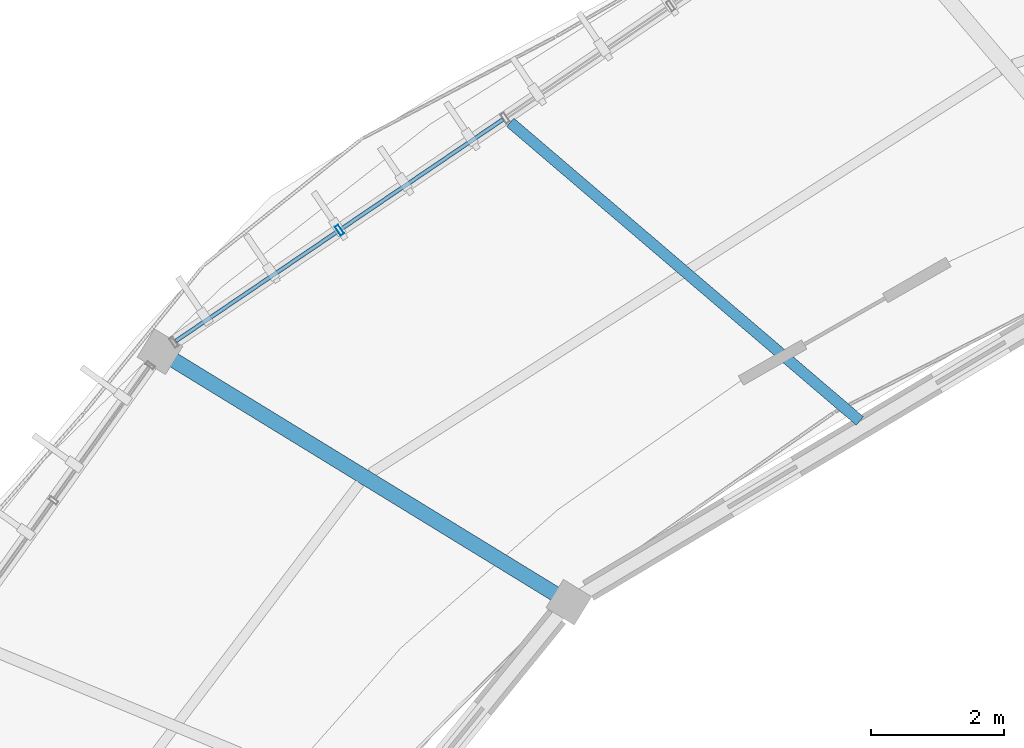
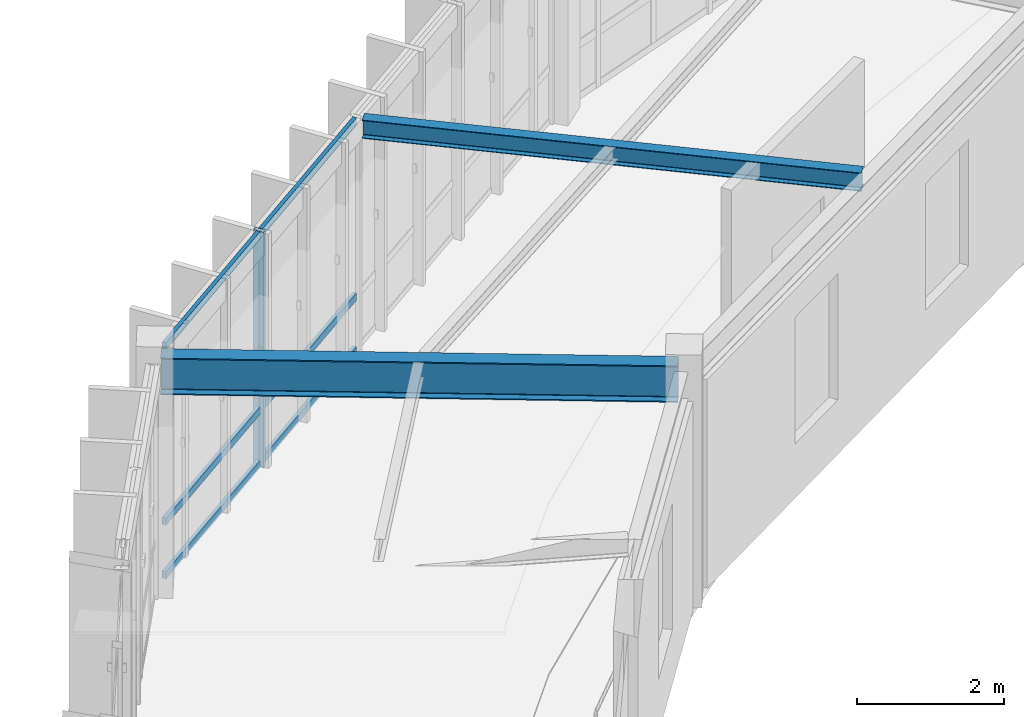
# One storey, part 26 of 78: 7 members, 2 beams, 1 element without a shape of its own.
"""IFC4 building model written with IfcOpenShell, lengths in metres."""

from ifc_helpers import new_model, si_unit, direction, frame, origin, origin_2d, place, context, subcontext, project, spatial, hollow_rectangle, i_section, extrude, material, material_profile, profile_set, type_object, element, aggregate, save


model = new_model("IFC4")

# Units and contexts
model_context = context("Model", 3, precision=1e-05, world=origin(), true_north=direction((0.0, 1.0)))
body_context = subcontext(model_context, "Body", "Model", "MODEL_VIEW")
ifc_project = project(units=[si_unit("LENGTHUNIT", "METRE"), si_unit("AREAUNIT", "SQUARE_METRE"), si_unit("VOLUMEUNIT", "CUBIC_METRE"), si_unit("PLANEANGLEUNIT", "RADIAN"), si_unit("MASSUNIT", "GRAM", prefix="KILO"), si_unit("THERMODYNAMICTEMPERATUREUNIT", "KELVIN"), si_unit("POWERUNIT", "WATT")], contexts=[model_context])

# Site, building, storey
site_placement = place(None, origin())
site = spatial("IfcSite", under=ifc_project, at=site_placement, CompositionType="ELEMENT")
building_placement = place(site_placement, origin())
building = spatial("IfcBuilding", under=site, at=building_placement, Name="Darbajah Civic Hall", CompositionType="ELEMENT")
storey_placement = place(building_placement, frame((0.0, 0.0, 26.39990234375)))
storey = spatial("IfcBuildingStorey", under=building, at=storey_placement, Name="L06", CompositionType="ELEMENT", Elevation=26.39990234375)

# Curtain wall, members
ifc_material_1 = material(Name="Anodised Bronze Aluminium and Low-E Glazing", Category="aluminium")
curtain_wall_type = type_object("IfcCurtainWallType", Name="Unitised Curtain Wall CW-81 12000x3900", PredefinedType="USERDEFINED", material=ifc_material_1)
curtain_wall_placement = place(storey_placement, origin())
curtain_wall = element("IfcCurtainWall", 1, at=curtain_wall_placement, inside=storey, type_object=curtain_wall_type, Name="L06 unitised curtain wall CW-V1O-L06-07", ObjectType="UNITISED CURTAIN WALL", PredefinedType="USERDEFINED")
ifc_material_2 = material(Name="Anodised Bronze Aluminium", Category="aluminium")
ifc_material_profile_1 = material_profile(ifc_material_2, hollow_rectangle(XDim=0.06005859375, YDim=0.159912109375, WallThickness=0.00341796875, at=origin_2d()), Name="ALU MULLION 60x160")
ifc_profile_set_1 = profile_set([ifc_material_profile_1], Name="Anodised Bronze Aluminium")
member_type_1 = type_object("IfcMemberType", Name="ALU MULLION 60x160", PredefinedType="MULLION", material=ifc_profile_set_1)
member_1_placement = place(storey_placement, frame((48.310302734375, 107.038818359375, 0.0), z_axis=(0.0, 0.0, 1.0), x_axis=(-0.827962472047, -0.560783509816, 0.0)))
member_1 = element("IfcMember", 2, at=member_1_placement, type_object=member_type_1, Name="CW-V1O-L06-07 mullion 4", PredefinedType="MULLION", context=body_context, shape_type="SweptSolid", body=[
    extrude(hollow_rectangle(XDim=0.06005859375, YDim=0.159912109375, WallThickness=0.00341796875, at=origin_2d()), origin(), (0.0, 0.0, 1.0), 3.920166015625),
])
ifc_material_profile_2 = material_profile(ifc_material_2, hollow_rectangle(XDim=0.06005859375, YDim=0.1201171875, WallThickness=0.003173828125, at=origin_2d()), Name="ALU TRANSOM 60x120")
ifc_profile_set_2 = profile_set([ifc_material_profile_2], Name="Anodised Bronze Aluminium")
member_type_2 = type_object("IfcMemberType", Name="ALU TRANSOM 60x120", PredefinedType="USERDEFINED", material=ifc_profile_set_2)
member_2_placement = place(storey_placement, frame((50.767822265625, 108.703125, 0.06005859375), z_axis=(-0.828007206335, -0.560717456708, 0.0), x_axis=(0.560717456708, -0.828007206335, 0.0)))
member_2 = element("IfcMember", 3, at=member_2_placement, type_object=member_type_2, Name="CW-V1O-L06-07 transom 3.1", ObjectType="TRANSOM", PredefinedType="USERDEFINED", context=body_context, shape_type="SweptSolid", body=[
    extrude(hollow_rectangle(XDim=0.06005859375, YDim=0.1201171875, WallThickness=0.003173828125, at=origin_2d()), origin(), (0.0, 0.0, 1.0), 2.932861328125),
])
member_3_placement = place(storey_placement, frame((50.767822265625, 108.703125, 0.9501953125), z_axis=(-0.828007206335, -0.560717456708, 0.0), x_axis=(0.560717456708, -0.828007206335, 0.0)))
member_3 = element("IfcMember", 4, at=member_3_placement, type_object=member_type_2, Name="CW-V1O-L06-07 transom 3.2", ObjectType="TRANSOM", PredefinedType="USERDEFINED", context=body_context, shape_type="SweptSolid", body=[
    extrude(hollow_rectangle(XDim=0.06005859375, YDim=0.1201171875, WallThickness=0.003173828125, at=origin_2d()), origin(), (0.0, 0.0, 1.0), 2.932861328125),
])
member_4_placement = place(storey_placement, frame((50.767822265625, 108.703125, 3.860107421875), z_axis=(-0.828007206335, -0.560717456708, 0.0), x_axis=(0.560717456708, -0.828007206335, 0.0)))
member_4 = element("IfcMember", 5, at=member_4_placement, type_object=member_type_2, Name="CW-V1O-L06-07 transom 3.3", ObjectType="TRANSOM", PredefinedType="USERDEFINED", context=body_context, shape_type="SweptSolid", body=[
    extrude(hollow_rectangle(XDim=0.06005859375, YDim=0.1201171875, WallThickness=0.003173828125, at=origin_2d()), origin(), (0.0, 0.0, 1.0), 2.932861328125),
])
member_5_placement = place(storey_placement, frame((48.281494140625, 107.019287109375, 0.06005859375), z_axis=(-0.82796855878, -0.560774523022, 0.0), x_axis=(0.560774523022, -0.82796855878, 0.0)))
member_5 = element("IfcMember", 6, at=member_5_placement, type_object=member_type_2, Name="CW-V1O-L06-07 transom 4.1", ObjectType="TRANSOM", PredefinedType="USERDEFINED", context=body_context, shape_type="SweptSolid", body=[
    extrude(hollow_rectangle(XDim=0.06005859375, YDim=0.1201171875, WallThickness=0.003173828125, at=origin_2d()), origin(), (0.0, 0.0, 1.0), 2.93310546875),
])
member_6_placement = place(storey_placement, frame((48.281494140625, 107.019287109375, 0.9501953125), z_axis=(-0.82796855878, -0.560774523022, 0.0), x_axis=(0.560774523022, -0.82796855878, 0.0)))
member_6 = element("IfcMember", 7, at=member_6_placement, type_object=member_type_2, Name="CW-V1O-L06-07 transom 4.2", ObjectType="TRANSOM", PredefinedType="USERDEFINED", context=body_context, shape_type="SweptSolid", body=[
    extrude(hollow_rectangle(XDim=0.06005859375, YDim=0.1201171875, WallThickness=0.003173828125, at=origin_2d()), origin(), (0.0, 0.0, 1.0), 2.93310546875),
])
member_7_placement = place(storey_placement, frame((48.281494140625, 107.019287109375, 3.860107421875), z_axis=(-0.82796855878, -0.560774523022, 0.0), x_axis=(0.560774523022, -0.82796855878, 0.0)))
member_7 = element("IfcMember", 8, at=member_7_placement, type_object=member_type_2, Name="CW-V1O-L06-07 transom 4.3", ObjectType="TRANSOM", PredefinedType="USERDEFINED", context=body_context, shape_type="SweptSolid", body=[
    extrude(hollow_rectangle(XDim=0.06005859375, YDim=0.1201171875, WallThickness=0.003173828125, at=origin_2d()), origin(), (0.0, 0.0, 1.0), 2.93310546875),
])
aggregate(curtain_wall, [member_1, member_2, member_3, member_4, member_5, member_6, member_7])

# Beams
ifc_material_3 = material(Name="Steel S355JR", Category="steel")
ifc_material_profile_3 = material_profile(ifc_material_3, i_section(OverallWidth=0.165771484375, OverallDepth=0.306640625, WebThickness=0.006591796875, FlangeThickness=0.01171875, FilletRadius=0.0087890625, at=origin_2d()), Name="UB 305x165x46")
ifc_profile_set_3 = profile_set([ifc_material_profile_3], Name="Steel S355JR")
beam_type_1 = type_object("IfcBeamType", Name="UB 305x165x46", PredefinedType="JOIST", material=ifc_profile_set_3)
beam_1_placement = place(storey_placement, frame((56.123779296875, 104.173095703125, 3.766845703125), z_axis=(-0.760413700639, 0.649438991654, 0.0), x_axis=(-0.649438991654, -0.760413700639, 0.0)))
element("IfcBeam", 9, at=beam_1_placement, inside=storey, type_object=beam_type_1, Name="L06 beam SJ-305", PredefinedType="JOIST", context=body_context, shape_type="SweptSolid", body=[
    extrude(i_section(OverallWidth=0.165771484375, OverallDepth=0.306640625, WebThickness=0.006591796875, FlangeThickness=0.01171875, FilletRadius=0.0087890625, at=origin_2d()), origin(), (0.0, 0.0, 1.0), 6.903564453125),
])
ifc_material_profile_4 = material_profile(ifc_material_3, i_section(OverallWidth=0.228271484375, OverallDepth=0.607666015625, WebThickness=0.010986328125, FlangeThickness=0.017333984375, FilletRadius=0.0126953125, at=origin_2d()), Name="UB 610x229x113")
ifc_profile_set_4 = profile_set([ifc_material_profile_4], Name="Steel S355JR")
beam_type_2 = type_object("IfcBeamType", Name="UB 610x229x113", PredefinedType="BEAM", material=ifc_profile_set_4)
beam_2_placement = place(storey_placement, frame((51.686279296875, 101.493408203125, 3.6162109375), z_axis=(-0.852639128905, 0.522500254411, 0.0), x_axis=(-0.522500254411, -0.852639128905, 0.0)))
element("IfcBeam", 10, at=beam_2_placement, inside=storey, type_object=beam_type_2, Name="L06 beam SB-610", PredefinedType="BEAM", context=body_context, shape_type="SweptSolid", body=[
    extrude(i_section(OverallWidth=0.228271484375, OverallDepth=0.607666015625, WebThickness=0.010986328125, FlangeThickness=0.017333984375, FilletRadius=0.0126953125, at=origin_2d()), origin(), (0.0, 0.0, 1.0), 7.0400390625),
])

save(model, "model.ifc")
